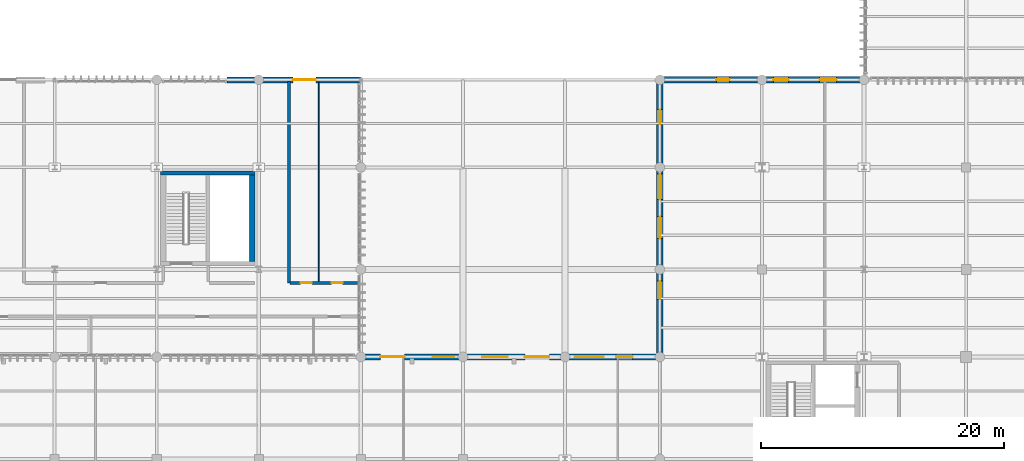
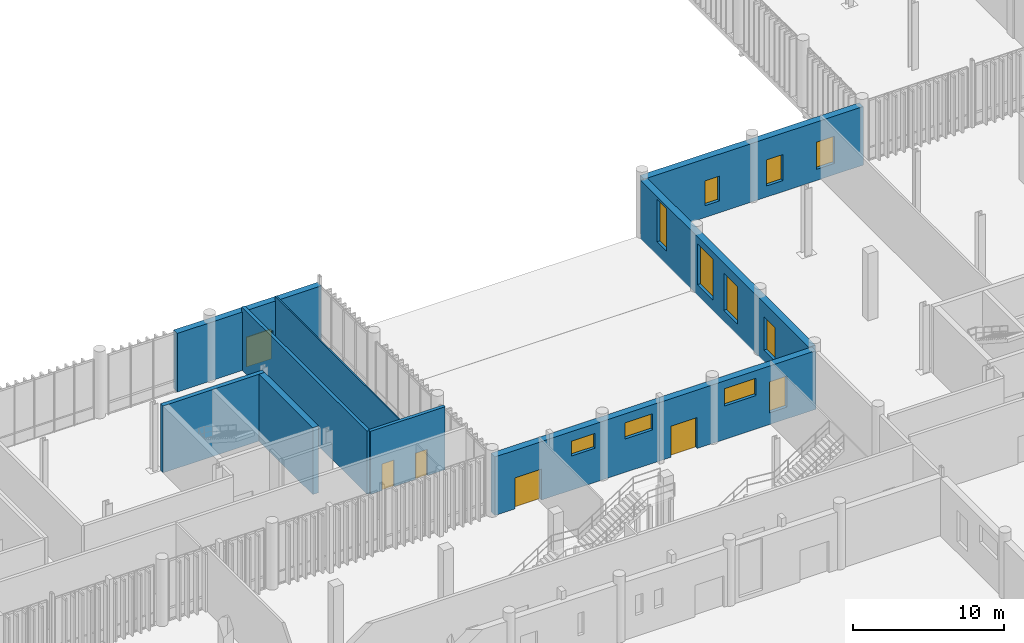
# One storey, part 91 of 112: 11 windows, 9 walls, 5 doors, 16 openings.
"""IFC4 building model written with IfcOpenShell, lengths in metres."""

from ifc_helpers import new_model, si_unit, direction, frame, frame_2d, origin_with_axes, place, context, subcontext, project, spatial, rectangle, extrude, material, layer, layer_set, type_object, element, fill, save


model = new_model("IFC4")

# Units and contexts
model_context = context("Model", 3, precision=1e-05, world=origin_with_axes(), true_north=direction((0.0, 1.0)))
body_context = subcontext(model_context, "Body", "Model", "MODEL_VIEW")
ifc_project = project(units=[si_unit("LENGTHUNIT", "METRE"), si_unit("AREAUNIT", "SQUARE_METRE"), si_unit("VOLUMEUNIT", "CUBIC_METRE"), si_unit("PLANEANGLEUNIT", "RADIAN"), si_unit("MASSUNIT", "GRAM", prefix="KILO"), si_unit("THERMODYNAMICTEMPERATUREUNIT", "KELVIN")], contexts=[model_context])

# Site, building, storey
site_placement = place(None, origin_with_axes())
site = spatial("IfcSite", under=ifc_project, at=site_placement, CompositionType="ELEMENT")
building_placement = place(site_placement, origin_with_axes())
building = spatial("IfcBuilding", under=site, at=building_placement, Name="Montbau Bow Law Courts", CompositionType="ELEMENT")
storey_placement = place(building_placement, origin_with_axes())
storey = spatial("IfcBuildingStorey", under=building, at=storey_placement, Name="L00", CompositionType="ELEMENT", Elevation=0.0)

# Walls
ifc_material_1 = material(Name="Concrete CSA A23.1 f'c 45 MPa", Category="concrete")
ifc_layer_1 = layer(ifc_material_1, 0.45, Name="Shear Wall", Category="concrete")
ifc_layer_set_1 = layer_set([ifc_layer_1], Name="Concrete CSA A23.1 f'c 45 MPa")
wall_type_1 = type_object("IfcWallType", Name="W-COR-02", PredefinedType="SHEAR", material=ifc_layer_set_1)
wall_1_placement = place(None, frame((88.26, 46.84, 0.0), z_axis=(0.0, 0.0, 1.0), x_axis=(0.0, 1.0, 0.0)))
element("IfcWall", 1, at=wall_1_placement, inside=storey, type_object=wall_type_1, Name="WC-L00-0221:wal_0288", PredefinedType="SHEAR", context=body_context, shape_type="SweptSolid", body=[
    extrude(rectangle(XDim=7.119999999999997, YDim=0.45, at=frame_2d((3.56, 0.0), x_axis=(1.0, 0.0))), origin_with_axes(), (0.0, 0.0, 1.0), 5.4),
])
ifc_layer_2 = layer(ifc_material_1, 0.32, Name="Shear Wall", Category="concrete")
ifc_layer_set_2 = layer_set([ifc_layer_2], Name="Concrete CSA A23.1 f'c 45 MPa")
wall_type_2 = type_object("IfcWallType", Name="W-COR-05", PredefinedType="SHEAR", material=ifc_layer_set_2)
wall_2_placement = place(None, frame((88.485, 54.12, 0.0), z_axis=(0.0, 0.0, 1.0), x_axis=(-1.0, 0.0, 0.0)))
element("IfcWall", 2, at=wall_2_placement, inside=storey, type_object=wall_type_2, Name="WC-L00-0220:wal_0287", PredefinedType="SHEAR", context=body_context, shape_type="SweptSolid", body=[
    extrude(rectangle(XDim=7.769999999999996, YDim=0.32, at=frame_2d((3.885, 0.0), x_axis=(1.0, 0.0))), origin_with_axes(), (0.0, 0.0, 1.0), 5.4),
])

# Wall, opening, door
ifc_material_2 = material(Name="Manitoba Tyndall Limestone on Insulated Concrete Backing CSA A23.1 f'c 35 MPa", Category="masonry")
ifc_layer_3 = layer(ifc_material_2, 0.48, Name="Solid Wall", Category="masonry")
ifc_layer_set_3 = layer_set([ifc_layer_3], Name="Manitoba Tyndall Limestone on Insulated Concrete Backing CSA A23.1 f'c 35 MPa")
wall_type_3 = type_object("IfcWallType", Name="W-EXT-01", PredefinedType="SOLIDWALL", material=ifc_layer_set_3)
wall_3_placement = place(None, frame((86.2, 61.8, 0.0), z_axis=(0.0, 0.0, 1.0), x_axis=(1.0, 0.0, 0.0)))
wall_3 = element("IfcWall", 3, at=wall_3_placement, inside=storey, type_object=wall_type_3, Name="WE-L00-030:wal_0047", PredefinedType="SOLIDWALL", context=body_context, shape_type="SweptSolid", body=[
    extrude(rectangle(XDim=11.0, YDim=0.48, at=frame_2d((5.5, 0.0), x_axis=(1.0, 0.0))), origin_with_axes(), (0.0, 0.0, 1.0), 4.724),
])
opening_1_placement = place(None, frame((92.55, 61.8, 0.0), z_axis=(0.0, 0.0, 1.0), x_axis=(1.0, 0.0, 0.0)))
opening_1 = element("IfcOpeningElement", 4, at=opening_1_placement, cuts=wall_3, Name="OP-D-L00-E17", PredefinedType="OPENING", context=body_context, shape_type="SweptSolid", body=[
    extrude(rectangle(XDim=1.9, YDim=2.4, at=frame_2d((0.0, 1.2), x_axis=(1.0, 0.0))), frame((0.0, 0.25, 0.0), z_axis=(0.0, -1.0, 0.0), x_axis=(1.0, 0.0, 0.0)), (0.0, 0.0, 1.0), 0.5),
])
ifc_material_3 = material(Name="Insulated Hollow-Metal Exit Discharge Door", Category="steel")
door_type_1 = type_object("IfcDoorType", Name="D-EXT-04", OperationType="NOTDEFINED", ParameterTakesPrecedence=False, PredefinedType="DOOR", material=ifc_material_3)
door_1_placement = place(None, frame((92.55, 61.8, 0.0), z_axis=(0.0, 0.0, 1.0), x_axis=(1.0, 0.0, 0.0)))
door_1 = element("IfcDoor", 5, at=door_1_placement, inside=storey, type_object=door_type_1, Name="D-L00-E17:dor_0014", OperationType="DOUBLE_DOOR_SINGLE_SWING", OverallHeight=2.4, OverallWidth=1.9, PredefinedType="DOOR", context=body_context, shape_type="SweptSolid", body=[
    extrude(rectangle(XDim=1.9, YDim=2.4, at=frame_2d((0.0, 1.2), x_axis=(1.0, 0.0))), frame((0.0, 0.04, 0.0), z_axis=(0.0, -1.0, 0.0), x_axis=(1.0, 0.0, 0.0)), (0.0, 0.0, 1.0), 0.08),
])
fill(opening_1, door_1)

# Wall, openings, doors, windows
ifc_material_4 = material(Name="Canmore Rundlestone Plinth Masonry on Concrete Backing CSA A23.1 f'c 35 MPa", Category="masonry")
ifc_layer_4 = layer(ifc_material_4, 0.52, Name="Solid Wall", Category="masonry")
ifc_layer_set_4 = layer_set([ifc_layer_4], Name="Canmore Rundlestone Plinth Masonry on Concrete Backing CSA A23.1 f'c 35 MPa")
wall_type_4 = type_object("IfcWallType", Name="W-EXT-02", PredefinedType="SOLIDWALL", material=ifc_layer_set_4)
wall_4_placement = place(None, frame((121.75, 39.0, 0.0), z_axis=(0.0, 0.0, 1.0), x_axis=(-1.0, 0.0, 0.0)))
wall_4 = element("IfcWall", 6, at=wall_4_placement, inside=storey, type_object=wall_type_4, Name="WE-L00-008:wal_0025", PredefinedType="SOLIDWALL", context=body_context, shape_type="SweptSolid", body=[
    extrude(rectangle(XDim=24.5, YDim=0.52, at=frame_2d((12.25, 0.0), x_axis=(1.0, 0.0))), origin_with_axes(), (0.0, 0.0, 1.0), 4.724),
])
opening_2_placement = place(None, frame((111.7, 39.0, 0.0), z_axis=(0.0, 0.0, 1.0), x_axis=(-1.0, 0.0, 0.0)))
opening_2 = element("IfcOpeningElement", 7, at=opening_2_placement, cuts=wall_4, Name="OP-D-L00-E05", PredefinedType="OPENING", context=body_context, shape_type="SweptSolid", body=[
    extrude(rectangle(XDim=2.0, YDim=2.5, at=frame_2d((0.0, 1.25), x_axis=(1.0, 0.0))), frame((0.0, 0.27, 0.0), z_axis=(0.0, -1.0, 0.0), x_axis=(1.0, 0.0, 0.0)), (0.0, 0.0, 1.0), 0.54),
])
opening_3_placement = place(None, frame((99.8, 39.0, 0.0), z_axis=(0.0, 0.0, 1.0), x_axis=(-1.0, 0.0, 0.0)))
opening_3 = element("IfcOpeningElement", 8, at=opening_3_placement, cuts=wall_4, Name="OP-D-L00-E06", PredefinedType="OPENING", context=body_context, shape_type="SweptSolid", body=[
    extrude(rectangle(XDim=2.0, YDim=2.5, at=frame_2d((0.0, 1.25), x_axis=(1.0, 0.0))), frame((0.0, 0.27, 0.0), z_axis=(0.0, -1.0, 0.0), x_axis=(1.0, 0.0, 0.0)), (0.0, 0.0, 1.0), 0.54),
])
opening_4_placement = place(None, frame((118.875, 39.0, 0.95), z_axis=(0.0, 0.0, 1.0), x_axis=(-1.0, 0.0, 0.0)))
opening_4 = element("IfcOpeningElement", 9, at=opening_4_placement, cuts=wall_4, Name="OP-WN-L00-028", PredefinedType="OPENING", context=body_context, shape_type="SweptSolid", body=[
    extrude(rectangle(XDim=1.35, YDim=2.5, at=frame_2d((0.0, 1.25), x_axis=(1.0, 0.0))), frame((0.0, 0.27, 0.0), z_axis=(0.0, -1.0, 0.0), x_axis=(1.0, 0.0, 0.0)), (0.0, 0.0, 1.0), 0.54),
])
opening_5_placement = place(None, frame((116.0, 39.0, 2.7), z_axis=(0.0, 0.0, 1.0), x_axis=(-1.0, 0.0, 0.0)))
opening_5 = element("IfcOpeningElement", 10, at=opening_5_placement, cuts=wall_4, Name="OP-WN-L00-029", PredefinedType="OPENING", context=body_context, shape_type="SweptSolid", body=[
    extrude(rectangle(XDim=2.4, YDim=1.4, at=frame_2d((0.0, 0.7), x_axis=(1.0, 0.0))), frame((0.0, 0.27, 0.0), z_axis=(0.0, -1.0, 0.0), x_axis=(1.0, 0.0, 0.0)), (0.0, 0.0, 1.0), 0.54),
])
opening_6_placement = place(None, frame((108.25, 39.0, 2.7), z_axis=(0.0, 0.0, 1.0), x_axis=(-1.0, 0.0, 0.0)))
opening_6 = element("IfcOpeningElement", 11, at=opening_6_placement, cuts=wall_4, Name="OP-WN-L00-030", PredefinedType="OPENING", context=body_context, shape_type="SweptSolid", body=[
    extrude(rectangle(XDim=2.1, YDim=1.3, at=frame_2d((0.0, 0.65), x_axis=(1.0, 0.0))), frame((0.0, 0.27, 0.0), z_axis=(0.0, -1.0, 0.0), x_axis=(1.0, 0.0, 0.0)), (0.0, 0.0, 1.0), 0.54),
])
opening_7_placement = place(None, frame((104.0, 39.0, 2.75), z_axis=(0.0, 0.0, 1.0), x_axis=(-1.0, 0.0, 0.0)))
opening_7 = element("IfcOpeningElement", 12, at=opening_7_placement, cuts=wall_4, Name="OP-WN-L00-031", PredefinedType="OPENING", context=body_context, shape_type="SweptSolid", body=[
    extrude(rectangle(XDim=1.8, YDim=1.2, at=frame_2d((0.0, 0.6), x_axis=(1.0, 0.0))), frame((0.0, 0.27, 0.0), z_axis=(0.0, -1.0, 0.0), x_axis=(1.0, 0.0, 0.0)), (0.0, 0.0, 1.0), 0.54),
])
ifc_material_5 = material(Name="Thermally Broken Aluminium Street Exit Door", Category="aluminium")
door_type_2 = type_object("IfcDoorType", Name="D-EXT-03", OperationType="NOTDEFINED", ParameterTakesPrecedence=False, PredefinedType="DOOR", material=ifc_material_5)
door_2_placement = place(None, frame((111.7, 39.0, 0.0), z_axis=(0.0, 0.0, 1.0), x_axis=(1.0, 0.0, 0.0)))
door_2 = element("IfcDoor", 13, at=door_2_placement, inside=storey, type_object=door_type_2, Name="D-L00-E05:dor_0006", OperationType="DOUBLE_DOOR_SINGLE_SWING", OverallHeight=2.5, OverallWidth=2.0, PredefinedType="DOOR", context=body_context, shape_type="SweptSolid", body=[
    extrude(rectangle(XDim=2.0, YDim=2.5, at=frame_2d((0.0, 1.25), x_axis=(1.0, 0.0))), frame((0.0, 0.04, 0.0), z_axis=(0.0, -1.0, 0.0), x_axis=(1.0, 0.0, 0.0)), (0.0, 0.0, 1.0), 0.08),
])
fill(opening_2, door_2)
door_3_placement = place(None, frame((99.8, 39.0, 0.0), z_axis=(0.0, 0.0, 1.0), x_axis=(1.0, 0.0, 0.0)))
door_3 = element("IfcDoor", 14, at=door_3_placement, inside=storey, type_object=door_type_2, Name="D-L00-E06:dor_0007", OperationType="DOUBLE_DOOR_SINGLE_SWING", OverallHeight=2.5, OverallWidth=2.0, PredefinedType="DOOR", context=body_context, shape_type="SweptSolid", body=[
    extrude(rectangle(XDim=2.0, YDim=2.5, at=frame_2d((0.0, 1.25), x_axis=(1.0, 0.0))), frame((0.0, 0.04, 0.0), z_axis=(0.0, -1.0, 0.0), x_axis=(1.0, 0.0, 0.0)), (0.0, 0.0, 1.0), 0.08),
])
fill(opening_3, door_3)
ifc_material_6 = material(Name="Triple-Glazed Low-E Argon Insulating Glass Unit", Category="glass")
window_type_1 = type_object("IfcWindowType", Name="WN-CRT-01", ParameterTakesPrecedence=False, PartitioningType="SINGLE_PANEL", PredefinedType="WINDOW", material=ifc_material_6)
window_1_placement = place(None, frame((116.0, 39.0, 2.7), z_axis=(0.0, 0.0, 1.0), x_axis=(-1.0, 0.0, 0.0)))
window_1 = element("IfcWindow", 15, at=window_1_placement, inside=storey, type_object=window_type_1, Name="WN-L00-029:win_0029", OverallHeight=1.4, OverallWidth=2.4, PartitioningType="SINGLE_PANEL", PredefinedType="WINDOW", context=body_context, shape_type="SweptSolid", body=[
    extrude(rectangle(XDim=2.4, YDim=1.4, at=frame_2d((0.0, 0.7), x_axis=(1.0, 0.0))), frame((0.0, 0.03, 0.0), z_axis=(0.0, -1.0, 0.0), x_axis=(1.0, 0.0, 0.0)), (0.0, 0.0, 1.0), 0.06),
])
fill(opening_5, window_1)
window_type_2 = type_object("IfcWindowType", Name="WN-CRT-02", ParameterTakesPrecedence=False, PartitioningType="SINGLE_PANEL", PredefinedType="WINDOW", material=ifc_material_6)
window_2_placement = place(None, frame((108.25, 39.0, 2.7), z_axis=(0.0, 0.0, 1.0), x_axis=(-1.0, 0.0, 0.0)))
window_2 = element("IfcWindow", 16, at=window_2_placement, inside=storey, type_object=window_type_2, Name="WN-L00-030:win_0030", OverallHeight=1.3, OverallWidth=2.1, PartitioningType="SINGLE_PANEL", PredefinedType="WINDOW", context=body_context, shape_type="SweptSolid", body=[
    extrude(rectangle(XDim=2.1, YDim=1.3, at=frame_2d((0.0, 0.65), x_axis=(1.0, 0.0))), frame((0.0, 0.03, 0.0), z_axis=(0.0, -1.0, 0.0), x_axis=(1.0, 0.0, 0.0)), (0.0, 0.0, 1.0), 0.06),
])
fill(opening_6, window_2)
window_type_3 = type_object("IfcWindowType", Name="WN-CRT-03", ParameterTakesPrecedence=False, PartitioningType="SINGLE_PANEL", PredefinedType="WINDOW", material=ifc_material_6)
window_3_placement = place(None, frame((104.0, 39.0, 2.75), z_axis=(0.0, 0.0, 1.0), x_axis=(-1.0, 0.0, 0.0)))
window_3 = element("IfcWindow", 17, at=window_3_placement, inside=storey, type_object=window_type_3, Name="WN-L00-031:win_0031", OverallHeight=1.2, OverallWidth=1.8, PartitioningType="SINGLE_PANEL", PredefinedType="WINDOW", context=body_context, shape_type="SweptSolid", body=[
    extrude(rectangle(XDim=1.8, YDim=1.2, at=frame_2d((0.0, 0.6), x_axis=(1.0, 0.0))), frame((0.0, 0.03, 0.0), z_axis=(0.0, -1.0, 0.0), x_axis=(1.0, 0.0, 0.0)), (0.0, 0.0, 1.0), 0.06),
])
fill(opening_7, window_3)
window_type_4 = type_object("IfcWindowType", Name="WN-PLN-04", ParameterTakesPrecedence=False, PartitioningType="SINGLE_PANEL", PredefinedType="WINDOW", material=ifc_material_6)
window_4_placement = place(None, frame((118.875, 39.0, 0.95), z_axis=(0.0, 0.0, 1.0), x_axis=(-1.0, 0.0, 0.0)))
window_4 = element("IfcWindow", 18, at=window_4_placement, inside=storey, type_object=window_type_4, Name="WN-L00-028:win_0028", OverallHeight=2.5, OverallWidth=1.35, PartitioningType="SINGLE_PANEL", PredefinedType="WINDOW", context=body_context, shape_type="SweptSolid", body=[
    extrude(rectangle(XDim=1.35, YDim=2.5, at=frame_2d((0.0, 1.25), x_axis=(1.0, 0.0))), frame((0.0, 0.03, 0.0), z_axis=(0.0, -1.0, 0.0), x_axis=(1.0, 0.0, 0.0)), (0.0, 0.0, 1.0), 0.06),
])
fill(opening_4, window_4)

# Wall, openings, windows
wall_5_placement = place(None, frame((138.55, 61.8, 0.0), z_axis=(0.0, 0.0, 1.0), x_axis=(-1.0, 0.0, 0.0)))
wall_5 = element("IfcWall", 19, at=wall_5_placement, inside=storey, type_object=wall_type_4, Name="WE-L00-011:wal_0028", PredefinedType="SOLIDWALL", context=body_context, shape_type="SweptSolid", body=[
    extrude(rectangle(XDim=16.750000000000014, YDim=0.52, at=frame_2d((8.375, 0.0), x_axis=(1.0, 0.0))), origin_with_axes(), (0.0, 0.0, 1.0), 4.724),
])
opening_8_placement = place(None, frame((135.65, 61.8, 0.9), z_axis=(0.0, 0.0, 1.0), x_axis=(-1.0, 0.0, 0.0)))
opening_8 = element("IfcOpeningElement", 20, at=opening_8_placement, cuts=wall_5, Name="OP-WN-L00-053", PredefinedType="OPENING", context=body_context, shape_type="SweptSolid", body=[
    extrude(rectangle(XDim=1.4, YDim=2.2, at=frame_2d((0.0, 1.1), x_axis=(1.0, 0.0))), frame((0.0, 0.27, 0.0), z_axis=(0.0, -1.0, 0.0), x_axis=(1.0, 0.0, 0.0)), (0.0, 0.0, 1.0), 0.54),
])
opening_9_placement = place(None, frame((131.775, 61.8, 0.9), z_axis=(0.0, 0.0, 1.0), x_axis=(-1.0, 0.0, 0.0)))
opening_9 = element("IfcOpeningElement", 21, at=opening_9_placement, cuts=wall_5, Name="OP-WN-L00-054", PredefinedType="OPENING", context=body_context, shape_type="SweptSolid", body=[
    extrude(rectangle(XDim=1.25, YDim=2.1, at=frame_2d((0.0, 1.05), x_axis=(1.0, 0.0))), frame((0.0, 0.27, 0.0), z_axis=(0.0, -1.0, 0.0), x_axis=(1.0, 0.0, 0.0)), (0.0, 0.0, 1.0), 0.54),
])
opening_10_placement = place(None, frame((127.0, 61.8, 0.95), z_axis=(0.0, 0.0, 1.0), x_axis=(-1.0, 0.0, 0.0)))
opening_10 = element("IfcOpeningElement", 22, at=opening_10_placement, cuts=wall_5, Name="OP-WN-L00-055", PredefinedType="OPENING", context=body_context, shape_type="SweptSolid", body=[
    extrude(rectangle(XDim=1.1, YDim=2.0, at=frame_2d((0.0, 1.0), x_axis=(1.0, 0.0))), frame((0.0, 0.27, 0.0), z_axis=(0.0, -1.0, 0.0), x_axis=(1.0, 0.0, 0.0)), (0.0, 0.0, 1.0), 0.54),
])
window_type_5 = type_object("IfcWindowType", Name="WN-CHM-01", ParameterTakesPrecedence=False, PartitioningType="SINGLE_PANEL", PredefinedType="WINDOW", material=ifc_material_6)
window_5_placement = place(None, frame((135.65, 61.8, 0.9), z_axis=(0.0, 0.0, 1.0), x_axis=(-1.0, 0.0, 0.0)))
window_5 = element("IfcWindow", 23, at=window_5_placement, inside=storey, type_object=window_type_5, Name="WN-L00-053:win_0053", OverallHeight=2.2, OverallWidth=1.4, PartitioningType="SINGLE_PANEL", PredefinedType="WINDOW", context=body_context, shape_type="SweptSolid", body=[
    extrude(rectangle(XDim=1.4, YDim=2.2, at=frame_2d((0.0, 1.1), x_axis=(1.0, 0.0))), frame((0.0, 0.03, 0.0), z_axis=(0.0, -1.0, 0.0), x_axis=(1.0, 0.0, 0.0)), (0.0, 0.0, 1.0), 0.06),
])
fill(opening_8, window_5)
window_type_6 = type_object("IfcWindowType", Name="WN-CHM-02", ParameterTakesPrecedence=False, PartitioningType="SINGLE_PANEL", PredefinedType="WINDOW", material=ifc_material_6)
window_6_placement = place(None, frame((131.775, 61.8, 0.9), z_axis=(0.0, 0.0, 1.0), x_axis=(-1.0, 0.0, 0.0)))
window_6 = element("IfcWindow", 24, at=window_6_placement, inside=storey, type_object=window_type_6, Name="WN-L00-054:win_0054", OverallHeight=2.1, OverallWidth=1.25, PartitioningType="SINGLE_PANEL", PredefinedType="WINDOW", context=body_context, shape_type="SweptSolid", body=[
    extrude(rectangle(XDim=1.25, YDim=2.1, at=frame_2d((0.0, 1.05), x_axis=(1.0, 0.0))), frame((0.0, 0.03, 0.0), z_axis=(0.0, -1.0, 0.0), x_axis=(1.0, 0.0, 0.0)), (0.0, 0.0, 1.0), 0.06),
])
fill(opening_9, window_6)
window_type_7 = type_object("IfcWindowType", Name="WN-CHM-03", ParameterTakesPrecedence=False, PartitioningType="SINGLE_PANEL", PredefinedType="WINDOW", material=ifc_material_6)
window_7_placement = place(None, frame((127.0, 61.8, 0.95), z_axis=(0.0, 0.0, 1.0), x_axis=(-1.0, 0.0, 0.0)))
window_7 = element("IfcWindow", 25, at=window_7_placement, inside=storey, type_object=window_type_7, Name="WN-L00-055:win_0055", OverallHeight=2.0, OverallWidth=1.1, PartitioningType="SINGLE_PANEL", PredefinedType="WINDOW", context=body_context, shape_type="SweptSolid", body=[
    extrude(rectangle(XDim=1.1, YDim=2.0, at=frame_2d((0.0, 1.0), x_axis=(1.0, 0.0))), frame((0.0, 0.03, 0.0), z_axis=(0.0, -1.0, 0.0), x_axis=(1.0, 0.0, 0.0)), (0.0, 0.0, 1.0), 0.06),
])
fill(opening_10, window_7)

wall_6_placement = place(None, frame((121.8, 61.54, 0.0), z_axis=(0.0, 0.0, 1.0), x_axis=(0.0, -1.0, 0.0)))
wall_6 = element("IfcWall", 26, at=wall_6_placement, inside=storey, type_object=wall_type_4, Name="WE-L00-013:wal_0030", PredefinedType="SOLIDWALL", context=body_context, shape_type="SweptSolid", body=[
    extrude(rectangle(XDim=22.229999999999997, YDim=0.52, at=frame_2d((11.115, 0.0), x_axis=(1.0, 0.0))), origin_with_axes(), (0.0, 0.0, 1.0), 4.724),
])
opening_11_placement = place(None, frame((121.8, 58.74, 1.1), z_axis=(0.0, 0.0, 1.0), x_axis=(0.0, -1.0, 0.0)))
opening_11 = element("IfcOpeningElement", 27, at=opening_11_placement, cuts=wall_6, Name="OP-WN-L00-066", PredefinedType="OPENING", context=body_context, shape_type="SweptSolid", body=[
    extrude(rectangle(XDim=1.2, YDim=3.4, at=frame_2d((0.0, 1.7), x_axis=(1.0, 0.0))), frame((0.0, 0.27, 0.0), z_axis=(0.0, -1.0, 0.0), x_axis=(1.0, 0.0, 0.0)), (0.0, 0.0, 1.0), 0.54),
])
opening_12_placement = place(None, frame((121.8, 52.99, 0.85), z_axis=(0.0, 0.0, 1.0), x_axis=(0.0, -1.0, 0.0)))
opening_12 = element("IfcOpeningElement", 28, at=opening_12_placement, cuts=wall_6, Name="OP-WN-L00-067", PredefinedType="OPENING", context=body_context, shape_type="SweptSolid", body=[
    extrude(rectangle(XDim=2.1, YDim=3.3, at=frame_2d((0.0, 1.65), x_axis=(1.0, 0.0))), frame((0.0, 0.27, 0.0), z_axis=(0.0, -1.0, 0.0), x_axis=(1.0, 0.0, 0.0)), (0.0, 0.0, 1.0), 0.54),
])
opening_13_placement = place(None, frame((121.8, 49.64, 0.9), z_axis=(0.0, 0.0, 1.0), x_axis=(0.0, -1.0, 0.0)))
opening_13 = element("IfcOpeningElement", 29, at=opening_13_placement, cuts=wall_6, Name="OP-WN-L00-068", PredefinedType="OPENING", context=body_context, shape_type="SweptSolid", body=[
    extrude(rectangle(XDim=1.8, YDim=3.0, at=frame_2d((0.0, 1.5), x_axis=(1.0, 0.0))), frame((0.0, 0.27, 0.0), z_axis=(0.0, -1.0, 0.0), x_axis=(1.0, 0.0, 0.0)), (0.0, 0.0, 1.0), 0.54),
])
opening_14_placement = place(None, frame((121.8, 44.49, 0.9), z_axis=(0.0, 0.0, 1.0), x_axis=(0.0, -1.0, 0.0)))
opening_14 = element("IfcOpeningElement", 30, at=opening_14_placement, cuts=wall_6, Name="OP-WN-L00-069", PredefinedType="OPENING", context=body_context, shape_type="SweptSolid", body=[
    extrude(rectangle(XDim=1.5, YDim=2.7, at=frame_2d((0.0, 1.35), x_axis=(1.0, 0.0))), frame((0.0, 0.27, 0.0), z_axis=(0.0, -1.0, 0.0), x_axis=(1.0, 0.0, 0.0)), (0.0, 0.0, 1.0), 0.54),
])
window_type_8 = type_object("IfcWindowType", Name="WN-CER-03", ParameterTakesPrecedence=False, PartitioningType="SINGLE_PANEL", PredefinedType="WINDOW", material=ifc_material_6)
window_8_placement = place(None, frame((121.8, 58.74, 1.1), z_axis=(0.0, 0.0, 1.0), x_axis=(0.0, -1.0, 0.0)))
window_8 = element("IfcWindow", 31, at=window_8_placement, inside=storey, type_object=window_type_8, Name="WN-L00-066:win_0066", OverallHeight=3.4, OverallWidth=1.2, PartitioningType="SINGLE_PANEL", PredefinedType="WINDOW", context=body_context, shape_type="SweptSolid", body=[
    extrude(rectangle(XDim=1.2, YDim=3.4, at=frame_2d((0.0, 1.7), x_axis=(1.0, 0.0))), frame((0.0, 0.03, 0.0), z_axis=(0.0, -1.0, 0.0), x_axis=(1.0, 0.0, 0.0)), (0.0, 0.0, 1.0), 0.06),
])
fill(opening_11, window_8)
window_type_9 = type_object("IfcWindowType", Name="WN-PLN-01", ParameterTakesPrecedence=False, PartitioningType="SINGLE_PANEL", PredefinedType="WINDOW", material=ifc_material_6)
window_9_placement = place(None, frame((121.8, 52.99, 0.85), z_axis=(0.0, 0.0, 1.0), x_axis=(0.0, -1.0, 0.0)))
window_9 = element("IfcWindow", 32, at=window_9_placement, inside=storey, type_object=window_type_9, Name="WN-L00-067:win_0067", OverallHeight=3.3, OverallWidth=2.1, PartitioningType="SINGLE_PANEL", PredefinedType="WINDOW", context=body_context, shape_type="SweptSolid", body=[
    extrude(rectangle(XDim=2.1, YDim=3.3, at=frame_2d((0.0, 1.65), x_axis=(1.0, 0.0))), frame((0.0, 0.03, 0.0), z_axis=(0.0, -1.0, 0.0), x_axis=(1.0, 0.0, 0.0)), (0.0, 0.0, 1.0), 0.06),
])
fill(opening_12, window_9)
window_type_10 = type_object("IfcWindowType", Name="WN-PLN-02", ParameterTakesPrecedence=False, PartitioningType="SINGLE_PANEL", PredefinedType="WINDOW", material=ifc_material_6)
window_10_placement = place(None, frame((121.8, 49.64, 0.9), z_axis=(0.0, 0.0, 1.0), x_axis=(0.0, -1.0, 0.0)))
window_10 = element("IfcWindow", 33, at=window_10_placement, inside=storey, type_object=window_type_10, Name="WN-L00-068:win_0068", OverallHeight=3.0, OverallWidth=1.8, PartitioningType="SINGLE_PANEL", PredefinedType="WINDOW", context=body_context, shape_type="SweptSolid", body=[
    extrude(rectangle(XDim=1.8, YDim=3.0, at=frame_2d((0.0, 1.5), x_axis=(1.0, 0.0))), frame((0.0, 0.03, 0.0), z_axis=(0.0, -1.0, 0.0), x_axis=(1.0, 0.0, 0.0)), (0.0, 0.0, 1.0), 0.06),
])
fill(opening_13, window_10)
window_type_11 = type_object("IfcWindowType", Name="WN-PLN-03", ParameterTakesPrecedence=False, PartitioningType="SINGLE_PANEL", PredefinedType="WINDOW", material=ifc_material_6)
window_11_placement = place(None, frame((121.8, 44.49, 0.9), z_axis=(0.0, 0.0, 1.0), x_axis=(0.0, -1.0, 0.0)))
window_11 = element("IfcWindow", 34, at=window_11_placement, inside=storey, type_object=window_type_11, Name="WN-L00-069:win_0069", OverallHeight=2.7, OverallWidth=1.5, PartitioningType="SINGLE_PANEL", PredefinedType="WINDOW", context=body_context, shape_type="SweptSolid", body=[
    extrude(rectangle(XDim=1.5, YDim=2.7, at=frame_2d((0.0, 1.35), x_axis=(1.0, 0.0))), frame((0.0, 0.03, 0.0), z_axis=(0.0, -1.0, 0.0), x_axis=(1.0, 0.0, 0.0)), (0.0, 0.0, 1.0), 0.06),
])
fill(opening_14, window_11)

# Wall
ifc_material_7 = material(Name="2 h Shaft and Exit-Passage Fire Separation Partition", Category="gypsum")
ifc_layer_5 = layer(ifc_material_7, 0.25, Name="Partition", Category="gypsum")
ifc_layer_set_5 = layer_set([ifc_layer_5], Name="2 h Shaft and Exit-Passage Fire Separation Partition")
wall_type_5 = type_object("IfcWallType", Name="W-PRT-01", PredefinedType="PARTITIONING", material=ifc_layer_set_5)
wall_7_placement = place(None, frame((91.29, 45.09, 0.0), z_axis=(0.0, 0.0, 1.0), x_axis=(0.0, 1.0, 0.0)))
element("IfcWall", 35, at=wall_7_placement, inside=storey, type_object=wall_type_5, Name="WCX-L00-0567:wal_0634", PredefinedType="PARTITIONING", context=body_context, shape_type="SweptSolid", body=[
    extrude(rectangle(XDim=16.569999999999993, YDim=0.25, at=frame_2d((8.285, 0.0), x_axis=(1.0, 0.0))), origin_with_axes(), (0.0, 0.0, 1.0), 5.08),
])

# Wall, openings, doors
wall_8_placement = place(None, frame((91.35, 45.09, 0.0), z_axis=(0.0, 0.0, 1.0), x_axis=(1.0, 0.0, 0.0)))
wall_8 = element("IfcWall", 36, at=wall_8_placement, inside=storey, type_object=wall_type_5, Name="WP-L00-0638:wal_0705", PredefinedType="PARTITIONING", context=body_context, shape_type="SweptSolid", body=[
    extrude(rectangle(XDim=5.710000000000008, YDim=0.25, at=frame_2d((2.855, 0.0), x_axis=(1.0, 0.0))), origin_with_axes(), (0.0, 0.0, 1.0), 5.08),
])
opening_15_placement = place(None, frame((92.707, 45.09, 0.0), z_axis=(0.0, 0.0, 1.0), x_axis=(1.0, 0.0, 0.0)))
opening_15 = element("IfcOpeningElement", 37, at=opening_15_placement, cuts=wall_8, Name="OP-D-L00-242", PredefinedType="OPENING", context=body_context, shape_type="SweptSolid", body=[
    extrude(rectangle(XDim=0.92, YDim=2.14, at=frame_2d((0.0, 1.07), x_axis=(1.0, 0.0))), frame((0.0, 0.135, 0.0), z_axis=(0.0, -1.0, 0.0), x_axis=(1.0, 0.0, 0.0)), (0.0, 0.0, 1.0), 0.27),
])
opening_16_placement = place(None, frame((95.238, 45.09, 0.0), z_axis=(0.0, 0.0, 1.0), x_axis=(1.0, 0.0, 0.0)))
opening_16 = element("IfcOpeningElement", 38, at=opening_16_placement, cuts=wall_8, Name="OP-D-L00-243", PredefinedType="OPENING", context=body_context, shape_type="SweptSolid", body=[
    extrude(rectangle(XDim=0.91, YDim=2.12, at=frame_2d((0.0, 1.06), x_axis=(1.0, 0.0))), frame((0.0, 0.135, 0.0), z_axis=(0.0, -1.0, 0.0), x_axis=(1.0, 0.0, 0.0)), (0.0, 0.0, 1.0), 0.27),
])
ifc_material_8 = material(Name="Judicial Law Clerk and Registry Office Oak Door", Category="wood")
door_type_3 = type_object("IfcDoorType", Name="D-OFF-01", OperationType="NOTDEFINED", ParameterTakesPrecedence=False, PredefinedType="DOOR", material=ifc_material_8)
door_4_placement = place(None, frame((92.707, 45.09, 0.0), z_axis=(0.0, 0.0, 1.0), x_axis=(-1.0, 0.0, 0.0)))
door_4 = element("IfcDoor", 39, at=door_4_placement, inside=storey, type_object=door_type_3, Name="D-L00-242:dor_0277", OperationType="SINGLE_SWING_LEFT", OverallHeight=2.14, OverallWidth=0.92, PredefinedType="DOOR", context=body_context, shape_type="SweptSolid", body=[
    extrude(rectangle(XDim=0.92, YDim=2.14, at=frame_2d((0.0, 1.07), x_axis=(1.0, 0.0))), frame((0.0, 0.04, 0.0), z_axis=(0.0, -1.0, 0.0), x_axis=(1.0, 0.0, 0.0)), (0.0, 0.0, 1.0), 0.08),
])
fill(opening_15, door_4)
ifc_material_9 = material(Name="Public and Judicial Washroom Solid-Core Door", Category="wood")
door_type_4 = type_object("IfcDoorType", Name="D-WC-02", OperationType="NOTDEFINED", ParameterTakesPrecedence=False, PredefinedType="DOOR", material=ifc_material_9)
door_5_placement = place(None, frame((95.238, 45.09, 0.0), z_axis=(0.0, 0.0, 1.0), x_axis=(-1.0, 0.0, 0.0)))
door_5 = element("IfcDoor", 40, at=door_5_placement, inside=storey, type_object=door_type_4, Name="D-L00-243:dor_0278", OperationType="SINGLE_SWING_RIGHT", OverallHeight=2.12, OverallWidth=0.91, PredefinedType="DOOR", context=body_context, shape_type="SweptSolid", body=[
    extrude(rectangle(XDim=0.91, YDim=2.12, at=frame_2d((0.0, 1.06), x_axis=(1.0, 0.0))), frame((0.0, 0.04, 0.0), z_axis=(0.0, -1.0, 0.0), x_axis=(1.0, 0.0, 0.0)), (0.0, 0.0, 1.0), 0.08),
])
fill(opening_16, door_5)

# Wall
ifc_material_10 = material(Name="Washroom Vestibule Furring Partition", Category="gypsum")
ifc_layer_6 = layer(ifc_material_10, 0.1, Name="Partition", Category="gypsum")
ifc_layer_set_6 = layer_set([ifc_layer_6], Name="Washroom Vestibule Furring Partition")
wall_type_6 = type_object("IfcWallType", Name="W-PRT-08", PredefinedType="PARTITIONING", material=ifc_layer_set_6)
wall_9_placement = place(None, frame((93.74, 45.19, 0.0), z_axis=(0.0, 0.0, 1.0), x_axis=(0.0, 1.0, 0.0)))
element("IfcWall", 41, at=wall_9_placement, inside=storey, type_object=wall_type_6, Name="WD-L00-0641:wal_0708", PredefinedType="PARTITIONING", context=body_context, shape_type="SweptSolid", body=[
    extrude(rectangle(XDim=16.43, YDim=0.1, at=frame_2d((8.215, 0.0), x_axis=(1.0, 0.0))), origin_with_axes(), (0.0, 0.0, 1.0), 5.08),
])

save(model, "model.ifc")
